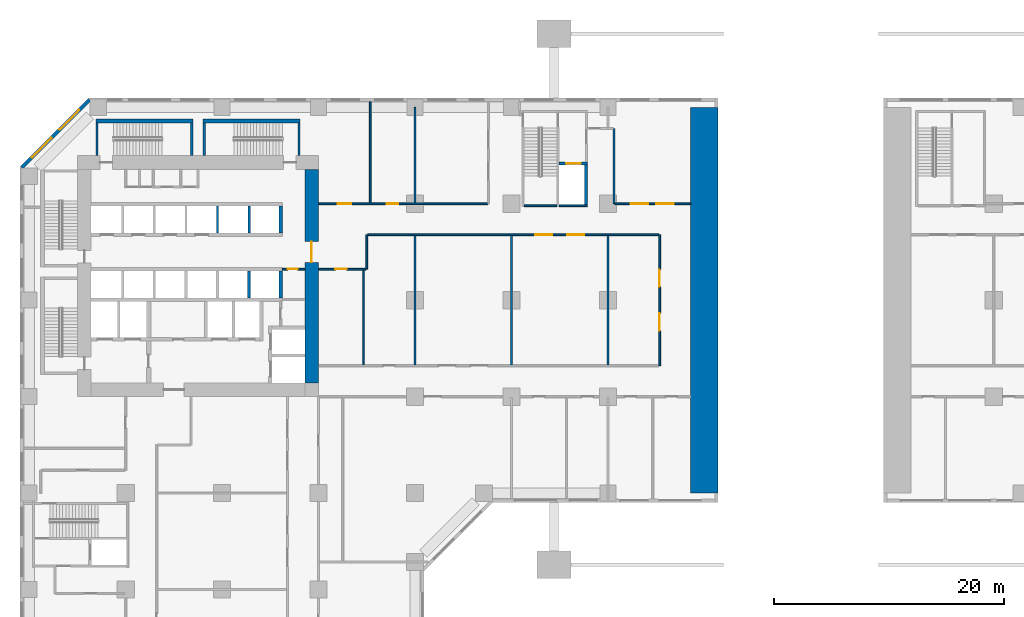
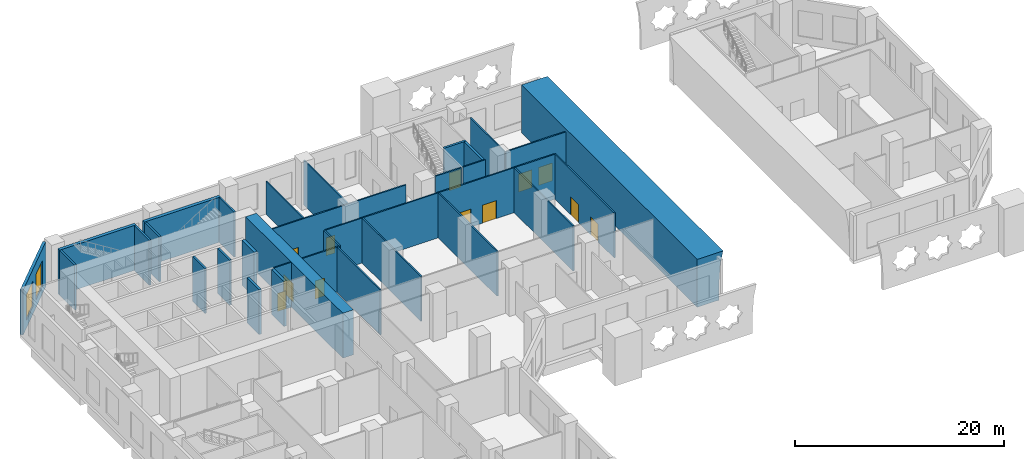
# One storey, part 8 of 17: 32 walls, 12 doors, 2 windows, 14 openings.
"""IFC4 building model written with IfcOpenShell, lengths in metres."""

import ifcopenshell
import ifcopenshell.guid

model = None  # the IFC model being written
_history = None  # IfcOwnerHistory: only IFC2X3 demands one
_inside = {}  # id of a spatial element -> (the spatial element, [elements in it])
_under = {}  # id of a project, library or spatial element -> (it, [spatial elements below it])
_declared = {}  # id of a project -> (the project, [libraries it declares])
_typed = {}  # id of a type object -> (the type object, [elements of that type])
_made_of = {}  # id of a material, layer set ... -> (it, [elements and type objects made of it])


def new_model(schema):
    """Start an empty IFC model of exactly this schema.

    Asked for "IFC4X3", IfcOpenShell would pick the latest addendum, in which some entities
    have other attributes; the version numbers below select the first issue.
    IFC2X3 requires an IfcOwnerHistory on every rooted entity: one is made here for all.
    """
    global model, _history
    if schema == "IFC4X3":
        model = ifcopenshell.file(schema_version=(4, 3, 0, 0))
    else:
        model = ifcopenshell.file(schema=schema)
    _inside.clear()
    _under.clear()
    _declared.clear()
    _typed.clear()
    _made_of.clear()
    _history = None
    if model.schema == "IFC2X3":
        org = make("IfcOrganization", Name="unknown")
        user = make(
            "IfcPersonAndOrganization",
            ThePerson=make("IfcPerson", FamilyName="unknown"),
            TheOrganization=org,
        )
        app = make(
            "IfcApplication",
            ApplicationDeveloper=org,
            Version="unknown",
            ApplicationFullName="unknown",
            ApplicationIdentifier="unknown",
        )
        _history = make(
            "IfcOwnerHistory",
            OwningUser=user,
            OwningApplication=app,
            ChangeAction="ADDED",
            CreationDate=0,
        )
    return model


def make(cls, **values):
    """One entity of the class cls with the attributes given. An attribute that is None is left unset."""
    return model.create_entity(
        cls, **{name: value for name, value in values.items() if value is not None}
    )


def rooted(cls, **values):
    """An entity with a GlobalId (a new one), such as an element, a storey or a relation."""
    return make(cls, GlobalId=ifcopenshell.guid.new(), OwnerHistory=_history, **values)


def si_unit(unit_type, name, prefix=None):
    """IfcSIUnit, for example si_unit("LENGTHUNIT", "METRE", prefix="MILLI")."""
    return make("IfcSIUnit", UnitType=unit_type, Prefix=prefix, Name=name)


def assignment(units):
    """IfcUnitAssignment: the units of a project."""
    return None if units is None else make("IfcUnitAssignment", Units=units)


def point(xyz):
    """IfcCartesianPoint."""
    return None if xyz is None else make("IfcCartesianPoint", Coordinates=xyz)


def direction(xyz):
    """IfcDirection."""
    return None if xyz is None else make("IfcDirection", DirectionRatios=xyz)


def frame(location, z_axis=None, x_axis=None):
    """IfcAxis2Placement3D, a coordinate frame: its origin and axes. An axis left out is left unset."""
    return make(
        "IfcAxis2Placement3D",
        Location=point(location),
        Axis=direction(z_axis),
        RefDirection=direction(x_axis),
    )


def frame_2d(location, x_axis=None):
    """IfcAxis2Placement2D, a coordinate frame in the plane: its origin and x axis."""
    return make(
        "IfcAxis2Placement2D", Location=point(location), RefDirection=direction(x_axis)
    )


def origin():
    """The frame at (0, 0, 0) with its axes left unset."""
    return frame((0.0, 0.0, 0.0))


def place(relative_to, where):
    """IfcLocalPlacement: puts the frame where relative to a parent placement (None: the world)."""
    return make(
        "IfcLocalPlacement", PlacementRelTo=relative_to, RelativePlacement=where
    )


def context(
    kind, dimensions, precision=None, world=None, true_north=None, identifier=None
):
    """IfcGeometricRepresentationContext, for example the 3D "Model" context."""
    return make(
        "IfcGeometricRepresentationContext",
        ContextIdentifier=identifier,
        ContextType=kind,
        CoordinateSpaceDimension=dimensions,
        Precision=precision,
        WorldCoordinateSystem=world,
        TrueNorth=true_north,
    )


def subcontext(parent, identifier, kind, view, scale=None):
    """IfcGeometricRepresentationSubContext, for example "Body" below "Model"."""
    return make(
        "IfcGeometricRepresentationSubContext",
        ContextIdentifier=identifier,
        ContextType=kind,
        ParentContext=parent,
        TargetScale=scale,
        TargetView=view,
    )


def project(units=None, contexts=None):
    """IfcProject with its units and contexts."""
    return rooted(
        "IfcProject",
        Name="project",
        RepresentationContexts=contexts,
        UnitsInContext=assignment(units),
    )


def spatial(cls, under=None, at=None, **own):
    """A site, building, storey or space (cls), placed at a placement, below another one or the project."""
    s = rooted(cls, ObjectPlacement=at, **own)
    if under is not None:
        _under.setdefault(under.id(), (under, []))[1].append(s)
    return s


def polyline(points):
    """IfcPolyline through the points."""
    return make("IfcPolyline", Points=[point(p) for p in points])


def profile(cls, at=None, kind="AREA", **sizes):
    """A parametric profile (cls). Its sizes go by their IFC names, for example OverallWidth=200.0."""
    return make(cls, ProfileType=kind, Position=at, **sizes)


def rectangle(**sizes):
    """IfcRectangleProfileDef."""
    return profile("IfcRectangleProfileDef", **sizes)


def outline(outer, holes=None, kind="AREA"):
    """IfcArbitraryClosedProfileDef: a profile drawn as a closed curve; with holes, ...WithVoids."""
    if holes is None:
        return make("IfcArbitraryClosedProfileDef", ProfileType=kind, OuterCurve=outer)
    return make(
        "IfcArbitraryProfileDefWithVoids",
        ProfileType=kind,
        OuterCurve=outer,
        InnerCurves=holes,
    )


def extrude(swept, where, along, depth):
    """IfcExtrudedAreaSolid: the profile swept, set in the frame where, extruded along a direction by depth."""
    return make(
        "IfcExtrudedAreaSolid",
        SweptArea=swept,
        Position=where,
        ExtrudedDirection=direction(along),
        Depth=depth,
    )


def shape(context_of_items, identifier, shape_type, items):
    """IfcShapeRepresentation: the items that make up one representation, for example the "Body"."""
    return make(
        "IfcShapeRepresentation",
        ContextOfItems=context_of_items,
        RepresentationIdentifier=identifier,
        RepresentationType=shape_type,
        Items=items,
    )


def material(Name=None, Category=None):
    """IfcMaterial."""
    return make("IfcMaterial", Name=Name, Category=Category)


def layer(
    of_material, thickness, ventilated=None, Name=None, Category=None, Priority=None
):
    """IfcMaterialLayer: one layer of a wall or slab, of a material (None: an air gap)."""
    return make(
        "IfcMaterialLayer",
        Material=of_material,
        LayerThickness=thickness,
        IsVentilated=ventilated,
        Name=Name,
        Category=Category,
        Priority=Priority,
    )


def layer_set(layers, Name=None):
    """IfcMaterialLayerSet."""
    return make("IfcMaterialLayerSet", MaterialLayers=layers, LayerSetName=Name)


def made_of(thing, what):
    """Note that an element or type object is made of a material, layer set ...; save() writes the relation."""
    if what is not None:
        _made_of.setdefault(what.id(), (what, []))[1].append(thing)
    return thing


def type_object(cls, material=None, **own):
    """A type object (cls), such as IfcWallType, which elements share."""
    return made_of(rooted(cls, **own), material)


def element(
    cls,
    number,
    at=None,
    inside=None,
    cuts=None,
    type_object=None,
    material=None,
    context=None,
    identifier="Body",
    shape_type=None,
    held_by="IfcProductDefinitionShape",
    body=None,
    shapes=None,
    **own,
):
    """One element of the class cls, such as IfcWall. Its Tag is "e" and its number.

    at: its placement. inside: the storey or other place that contains it. cuts: it is an
    opening in that element (IfcRelVoidsElement). A single representation is given by context,
    identifier, shape_type and body (its items); several are given by shapes. held_by: the class
    of the entity that holds the representations. save() writes the other relations.
    """
    e = rooted(cls, Tag="e%d" % number, ObjectPlacement=at, **own)
    if body is not None:
        shapes = [shape(context, identifier, shape_type, body)]
    if shapes is not None:
        e.Representation = make(held_by, Representations=shapes)
    if inside is not None:
        _inside.setdefault(inside.id(), (inside, []))[1].append(e)
    if cuts is not None:
        rooted(
            "IfcRelVoidsElement", RelatingBuildingElement=cuts, RelatedOpeningElement=e
        )
    if type_object is not None:
        _typed.setdefault(type_object.id(), (type_object, []))[1].append(e)
    return made_of(e, material)


def fill(opening, filler):
    """IfcRelFillsElement: the door or window that sits in an opening."""
    return rooted(
        "IfcRelFillsElement",
        RelatingOpeningElement=opening,
        RelatedBuildingElement=filler,
    )


def aggregate(whole, parts):
    """IfcRelAggregates: a whole, such as a stair, and the parts it consists of."""
    return rooted("IfcRelAggregates", RelatingObject=whole, RelatedObjects=parts)


def save(model, path):
    """Write the relations noted so far, then the file.

    IfcRelAggregates (storeys below a building ...), IfcRelContainedInSpatialStructure (elements
    in a storey), IfcRelDefinesByType, IfcRelAssociatesMaterial and IfcRelDeclares: one each for
    every whole, place, type object, material and project.
    """
    for whole, parts in _under.values():
        aggregate(whole, parts)
    for where, things in _inside.values():
        rooted(
            "IfcRelContainedInSpatialStructure",
            RelatedElements=things,
            RelatingStructure=where,
        )
    for kind, things in _typed.values():
        rooted("IfcRelDefinesByType", RelatedObjects=things, RelatingType=kind)
    for what, things in _made_of.values():
        rooted("IfcRelAssociatesMaterial", RelatedObjects=things, RelatingMaterial=what)
    for by, libraries in _declared.values():
        rooted("IfcRelDeclares", RelatingContext=by, RelatedDefinitions=libraries)
    model.write(path)


model = new_model("IFC4")

# Units and contexts
model_context = context("Model", 3, precision=1e-05, world=origin(), true_north=direction((0.0, 1.0)))
body_context = subcontext(model_context, "Body", "Model", "MODEL_VIEW")
ifc_project = project(units=[si_unit("LENGTHUNIT", "METRE"), si_unit("AREAUNIT", "SQUARE_METRE"), si_unit("VOLUMEUNIT", "CUBIC_METRE"), si_unit("PLANEANGLEUNIT", "RADIAN"), si_unit("MASSUNIT", "GRAM", prefix="KILO")], contexts=[model_context])

# Site, building, storey
site_placement = place(None, origin())
site = spatial("IfcSite", under=ifc_project, at=site_placement, CompositionType="ELEMENT")
building_placement = place(site_placement, origin())
building = spatial("IfcBuilding", under=site, at=building_placement, Name="Kawkab Arch Medical Tower", CompositionType="ELEMENT")
storey_placement = place(building_placement, frame((0.0, 0.0, 7.0)))
storey = spatial("IfcBuildingStorey", under=building, at=storey_placement, Name="L02", CompositionType="ELEMENT", Elevation=7.0)

# Wall
ifc_material_1 = material(Name="Concrete C60/75", Category="concrete")
wall_type_1 = type_object("IfcWallType", Name="Arch wall C60/75", PredefinedType="SHEAR", material=ifc_material_1)
wall_1_placement = place(storey_placement, frame((0.0, 0.0, -7.0), z_axis=(0.0, -1.0, 0.0), x_axis=(1.0, 0.0, 0.0)))
element("IfcWall", 1, at=wall_1_placement, inside=storey, type_object=wall_type_1, Name="Arch wall L02-1", PredefinedType="SHEAR", context=body_context, shape_type="SweptSolid", body=[
    extrude(outline(polyline([(60.447509765625, 12.60009765625), (60.158935546875, 11.256103515625), (60.0, 9.0), (60.0, 7.0), (57.60009765625, 7.0), (57.60009765625, 12.60009765625), (60.447509765625, 12.60009765625)])), origin(), (0.0, 0.0, 1.0), 33.60009765625),
])

# Wall, opening, door
ifc_material_2 = material(Name="Concrete C60/75", Category="concrete")
ifc_layer_1 = layer(ifc_material_2, 1.199951171875)
ifc_layer_set_1 = layer_set([ifc_layer_1], Name="Concrete C60/75")
wall_type_2 = type_object("IfcWallType", Name="Core ring wall 1200 C60/75", PredefinedType="SHEAR", material=ifc_layer_set_1)
wall_2_placement = place(storey_placement, frame((24.60009765625, -24.0, 0.0), z_axis=(0.0, 0.0, 1.0), x_axis=(0.0, 1.0, 0.0)))
wall_2 = element("IfcWall", 2, at=wall_2_placement, inside=storey, type_object=wall_type_2, Name="L02 core wall", PredefinedType="SHEAR", context=body_context, shape_type="SweptSolid", body=[
    extrude(rectangle(XDim=18.60009765625, YDim=1.199951171875, at=frame_2d((9.300048828125, 0.0))), origin(), (0.0, 0.0, 1.0), 5.25),
])
opening_1_placement = place(wall_2_placement, frame((10.5, 0.0, 0.0)))
opening_1 = element("IfcOpeningElement", 3, at=opening_1_placement, cuts=wall_2, Name="Opening PD", PredefinedType="OPENING", context=body_context, shape_type="SweptSolid", body=[
    extrude(rectangle(XDim=1.800048828125, YDim=2.10009765625, at=frame_2d((0.89990234375, 1.050048828125))), frame((0.0, 0.60986328125, 0.0), z_axis=(0.0, -1.0, 0.0), x_axis=(1.0, 0.0, 0.0)), (0.0, 0.0, 1.0), 1.219970703125),
])
ifc_material_3 = material(Name="Hollow metal fire door leaf")
door_type_1 = type_object("IfcDoorType", Name="Core entrance doors 1800", OperationType="DOUBLE_DOOR_SINGLE_SWING", PredefinedType="DOOR", material=ifc_material_3)
door_1_placement = place(opening_1_placement, origin())
door_1 = element("IfcDoor", 4, at=door_1_placement, inside=storey, type_object=door_type_1, Name="L02 East entrance doors", OperationType="DOUBLE_DOOR_SINGLE_SWING", OverallHeight=2.10009765625, OverallWidth=1.800048828125, PredefinedType="DOOR", context=body_context, shape_type="SweptSolid", body=[
    extrude(rectangle(XDim=1.800048828125, YDim=2.10009765625, at=frame_2d((0.89990234375, 1.050048828125))), frame((0.0, 0.02490234375, 0.0), z_axis=(0.0, -1.0, 0.0), x_axis=(1.0, 0.0, 0.0)), (0.0, 0.0, 1.0), 0.050048828125),
])
fill(opening_1, door_1)

ifc_material_4 = material(Name="Gypsum board on steel studs", Category="steel")
ifc_layer_2 = layer(ifc_material_4, 0.14990234375)
ifc_layer_set_2 = layer_set([ifc_layer_2], Name="Gypsum board on steel studs")
wall_type_3 = type_object("IfcWallType", Name="Core room partition 150", PredefinedType="PARTITIONING", material=ifc_layer_set_2)
wall_3_placement = place(storey_placement, frame((22.050048828125, -14.10009765625, 0.0), z_axis=(0.0, 0.0, 1.0), x_axis=(1.0, 0.0, 0.0)))
wall_3 = element("IfcWall", 5, at=wall_3_placement, inside=storey, type_object=wall_type_3, Name="L02 core room partition", PredefinedType="PARTITIONING", context=body_context, shape_type="SweptSolid", body=[
    extrude(rectangle(XDim=1.949951171875, YDim=0.14990234375, at=frame_2d((0.97509765625, 0.0))), origin(), (0.0, 0.0, 1.0), 5.25),
])
opening_2_placement = place(wall_3_placement, frame((0.449951171875, 0.0, 0.0)))
opening_2 = element("IfcOpeningElement", 6, at=opening_2_placement, cuts=wall_3, Name="Opening RD", PredefinedType="OPENING", context=body_context, shape_type="SweptSolid", body=[
    extrude(rectangle(XDim=0.89990234375, YDim=2.10009765625, at=frame_2d((0.449951171875, 1.050048828125))), frame((0.0, 0.0849609375, 0.0), z_axis=(0.0, -1.0, 0.0), x_axis=(1.0, 0.0, 0.0)), (0.0, 0.0, 1.0), 0.169921875),
])
ifc_material_5 = material(Name="Hollow metal fire door leaf")
door_type_2 = type_object("IfcDoorType", Name="Core room door 900", OperationType="SINGLE_SWING_LEFT", PredefinedType="DOOR", material=ifc_material_5)
door_2_placement = place(opening_2_placement, origin())
door_2 = element("IfcDoor", 7, at=door_2_placement, inside=storey, type_object=door_type_2, Name="L02 Medical gas plant room door", OperationType="SINGLE_SWING_LEFT", OverallHeight=2.10009765625, OverallWidth=0.89990234375, PredefinedType="DOOR", context=body_context, shape_type="SweptSolid", body=[
    extrude(rectangle(XDim=0.89990234375, YDim=2.10009765625, at=frame_2d((0.449951171875, 1.050048828125))), frame((0.0, 0.02490234375, 0.0), z_axis=(0.0, -1.0, 0.0), x_axis=(1.0, 0.0, 0.0)), (0.0, 0.0, 1.0), 0.050048828125),
])
fill(opening_2, door_2)

# Wall
ifc_material_6 = material(Name="Concrete C60/75", Category="concrete")
ifc_layer_3 = layer(ifc_material_6, 0.25)
ifc_layer_set_3 = layer_set([ifc_layer_3], Name="Concrete C60/75")
wall_type_4 = type_object("IfcWallType", Name="Core shear wall 250 C60/75", PredefinedType="SHEAR", material=ifc_layer_set_3)
wall_4_placement = place(storey_placement, frame((19.14990234375, -16.60009765625, 0.0), z_axis=(0.0, 0.0, 1.0), x_axis=(0.0, 1.0, 0.0)))
element("IfcWall", 8, at=wall_4_placement, inside=storey, type_object=wall_type_4, Name="L02 core shear wall", PredefinedType="SHEAR", context=body_context, shape_type="SweptSolid", body=[
    extrude(rectangle(XDim=2.35009765625, YDim=0.25, at=frame_2d((1.175048828125, 0.0))), origin(), (0.0, 0.0, 1.0), 5.25),
])

# Wall, opening, door
wall_5_placement = place(storey_placement, frame((46.14990234375, -4.89990234375, 0.0), z_axis=(0.0, 0.0, 1.0), x_axis=(1.0, 0.0, 0.0)))
wall_5 = element("IfcWall", 9, at=wall_5_placement, inside=storey, type_object=wall_type_4, Name="L02 core shear wall", PredefinedType="SHEAR", context=body_context, shape_type="SweptSolid", body=[
    extrude(rectangle(XDim=2.4501953125, YDim=0.25, at=frame_2d((1.22509765625, 0.0))), origin(), (0.0, 0.0, 1.0), 5.25),
])
opening_3_placement = place(wall_5_placement, frame((0.60009765625, 0.0, 0.0)))
opening_3 = element("IfcOpeningElement", 10, at=opening_3_placement, cuts=wall_5, Name="Opening LD2", PredefinedType="OPENING", context=body_context, shape_type="SweptSolid", body=[
    extrude(rectangle(XDim=1.300048828125, YDim=2.10009765625, at=frame_2d((0.64990234375, 1.050048828125))), frame((0.0, 0.135009765625, 0.0), z_axis=(0.0, -1.0, 0.0), x_axis=(1.0, 0.0, 0.0)), (0.0, 0.0, 1.0), 0.27001953125),
])
ifc_material_7 = material(Name="Stainless steel lift door leaf", Category="steel")
door_type_3 = type_object("IfcDoorType", Name="Lift landing door 1300", OperationType="DOUBLE_DOOR_SLIDING", PredefinedType="DOOR", material=ifc_material_7)
door_3_placement = place(opening_3_placement, origin())
door_3 = element("IfcDoor", 11, at=door_3_placement, inside=storey, type_object=door_type_3, Name="L02 Lift landing door SV1", OperationType="DOUBLE_DOOR_SLIDING", OverallHeight=2.10009765625, OverallWidth=1.300048828125, PredefinedType="DOOR", context=body_context, shape_type="SweptSolid", body=[
    extrude(rectangle(XDim=1.300048828125, YDim=2.10009765625, at=frame_2d((0.64990234375, 1.050048828125))), frame((0.0, 0.02490234375, 0.0), z_axis=(0.0, -1.0, 0.0), x_axis=(1.0, 0.0, 0.0)), (0.0, 0.0, 1.0), 0.050048828125),
])
fill(opening_3, door_3)

# Walls
wall_6_placement = place(storey_placement, frame((48.47509765625, -8.5, 0.0), z_axis=(0.0, 0.0, 1.0), x_axis=(0.0, 1.0, 0.0)))
element("IfcWall", 12, at=wall_6_placement, inside=storey, type_object=wall_type_4, Name="L02 core shear wall", PredefinedType="SHEAR", context=body_context, shape_type="SweptSolid", body=[
    extrude(rectangle(XDim=3.47509765625, YDim=0.25, at=frame_2d((1.737548828125, 0.0))), origin(), (0.0, 0.0, 1.0), 5.25),
])
ifc_material_8 = material(Name="Concrete C60/75", Category="concrete")
ifc_layer_4 = layer(ifc_material_8, 0.300048828125)
ifc_layer_set_4 = layer_set([ifc_layer_4], Name="Concrete C60/75")
wall_type_5 = type_object("IfcWallType", Name="Core shear wall 300 C60/75", PredefinedType="SHEAR", material=ifc_layer_set_4)
wall_7_placement = place(storey_placement, frame((21.89990234375, -10.949951171875, 0.0), z_axis=(0.0, 0.0, 1.0), x_axis=(0.0, 1.0, 0.0)))
element("IfcWall", 13, at=wall_7_placement, inside=storey, type_object=wall_type_5, Name="L02 core shear wall", PredefinedType="SHEAR", context=body_context, shape_type="SweptSolid", body=[
    extrude(rectangle(XDim=2.349853515625, YDim=0.300048828125, at=frame_2d((1.1748046875, 0.0))), origin(), (0.0, 0.0, 1.0), 5.25),
])
wall_8_placement = place(storey_placement, frame((21.89990234375, -16.60009765625, 0.0), z_axis=(0.0, 0.0, 1.0), x_axis=(0.0, 1.0, 0.0)))
element("IfcWall", 14, at=wall_8_placement, inside=storey, type_object=wall_type_5, Name="L02 core shear wall", PredefinedType="SHEAR", context=body_context, shape_type="SweptSolid", body=[
    extrude(rectangle(XDim=2.35009765625, YDim=0.300048828125, at=frame_2d((1.175048828125, 0.0))), origin(), (0.0, 0.0, 1.0), 5.25),
])
ifc_material_9 = material(Name="Dense concrete blockwork", Category="masonry")
ifc_layer_5 = layer(ifc_material_9, 0.199951171875)
ifc_layer_set_5 = layer_set([ifc_layer_5], Name="Dense concrete blockwork")
wall_type_6 = type_object("IfcWallType", Name="Lift shaft partition 200", PredefinedType="PARTITIONING", material=ifc_layer_set_5)
for number, where, z_axis, x_axis, name in (
    (15, (16.39990234375, -10.949951171875, 0.0), (0.0, 0.0, 1.0), (0.0, 1.0, 0.0), "L02 lift shaft partition"),
    (16, (19.14990234375, -10.949951171875, 0.0), (0.0, 0.0, 1.0), (0.0, 1.0, 0.0), "L02 lift shaft partition"),
):
    element("IfcWall", number, at=place(storey_placement, frame(where, z_axis=z_axis, x_axis=x_axis)), inside=storey, type_object=wall_type_6, Name=name, PredefinedType="PARTITIONING", context=body_context, shape_type="SweptSolid", body=[
        extrude(rectangle(XDim=2.349853515625, YDim=0.199951171875, at=frame_2d((1.1748046875, 0.0))), origin(), (0.0, 0.0, 1.0), 5.25),
    ])

# Wall, opening, door
ifc_material_10 = material(Name="Gypsum board partition on steel studs, mineral wool", Category="steel")
ifc_layer_6 = layer(ifc_material_10, 0.14990234375)
ifc_layer_set_6 = layer_set([ifc_layer_6], Name="Gypsum board partition on steel studs, mineral wool")
wall_type_7 = type_object("IfcWallType", Name="Partition 150", PredefinedType="PARTITIONING", material=ifc_layer_set_6)
wall_9_placement = place(storey_placement, frame((25.199951171875, -14.10009765625, 0.0), z_axis=(0.0, 0.0, 1.0), x_axis=(1.0, 0.0, 0.0)))
wall_9 = element("IfcWall", 17, at=wall_9_placement, inside=storey, type_object=wall_type_7, Name="Partition 150 w032", PredefinedType="PARTITIONING", context=body_context, shape_type="SweptSolid", body=[
    extrude(rectangle(XDim=4.125, YDim=0.14990234375, at=frame_2d((2.0625, 0.0))), origin(), (0.0, 0.0, 1.0), 5.25),
])
opening_4_placement = place(wall_9_placement, frame((1.449951171875, 0.0, 0.0)))
opening_4 = element("IfcOpeningElement", 18, at=opening_4_placement, cuts=wall_9, Name="Opening P02-033", PredefinedType="OPENING", context=body_context, shape_type="SweptSolid", body=[
    extrude(rectangle(XDim=1.0, YDim=2.10009765625, at=frame_2d((0.5, 1.050048828125))), frame((0.0, 0.0849609375, 0.0), z_axis=(0.0, -1.0, 0.0), x_axis=(1.0, 0.0, 0.0)), (0.0, 0.0, 1.0), 0.169921875),
])
ifc_material_11 = material(Name="Hollow metal door leaf")
door_type_4 = type_object("IfcDoorType", Name="Single door 1000x2100 FD30S", OperationType="NOTDEFINED", PredefinedType="DOOR", material=ifc_material_11)
door_4_placement = place(opening_4_placement, origin())
door_4 = element("IfcDoor", 19, at=door_4_placement, inside=storey, type_object=door_type_4, Name="Door P02-033", OperationType="SINGLE_SWING_RIGHT", OverallHeight=2.10009765625, OverallWidth=1.0, PredefinedType="DOOR", context=body_context, shape_type="SweptSolid", body=[
    extrude(rectangle(XDim=1.0, YDim=2.10009765625, at=frame_2d((0.5, 1.050048828125))), frame((0.0, 0.02490234375, 0.0), z_axis=(0.0, -1.0, 0.0), x_axis=(1.0, 0.0, 0.0)), (0.0, 0.0, 1.0), 0.050048828125),
])
fill(opening_4, door_4)

# Wall, openings, doors
wall_10_placement = place(storey_placement, frame((29.47509765625, -11.10009765625, 0.0), z_axis=(0.0, 0.0, 1.0), x_axis=(1.0, 0.0, 0.0)))
wall_10 = element("IfcWall", 20, at=wall_10_placement, inside=storey, type_object=wall_type_7, Name="Partition 150 w033", PredefinedType="PARTITIONING", context=body_context, shape_type="SweptSolid", body=[
    extrude(rectangle(XDim=25.349853515625, YDim=0.14990234375, at=frame_2d((12.6748046875, 0.0))), origin(), (0.0, 0.0, 1.0), 5.25),
])
opening_5_placement = place(wall_10_placement, frame((17.375, 0.0, 0.0)))
opening_5 = element("IfcOpeningElement", 21, at=opening_5_placement, cuts=wall_10, Name="Opening P02-010", PredefinedType="OPENING", context=body_context, shape_type="SweptSolid", body=[
    extrude(rectangle(XDim=1.5, YDim=2.10009765625, at=frame_2d((0.75, 1.050048828125))), frame((0.0, 0.0849609375, 0.0), z_axis=(0.0, -1.0, 0.0), x_axis=(1.0, 0.0, 0.0)), (0.0, 0.0, 1.0), 0.169921875),
])
opening_6_placement = place(wall_10_placement, frame((14.574951171875, 0.0, 0.0)))
opening_6 = element("IfcOpeningElement", 22, at=opening_6_placement, cuts=wall_10, Name="Opening P02-011", PredefinedType="OPENING", context=body_context, shape_type="SweptSolid", body=[
    extrude(rectangle(XDim=1.5, YDim=2.10009765625, at=frame_2d((0.75, 1.050048828125))), frame((0.0, 0.0849609375, 0.0), z_axis=(0.0, -1.0, 0.0), x_axis=(1.0, 0.0, 0.0)), (0.0, 0.0, 1.0), 0.169921875),
])
ifc_material_12 = material(Name="Hollow metal door leaf")
door_type_5 = type_object("IfcDoorType", Name="Double door 1500x2100 FD30S", OperationType="NOTDEFINED", PredefinedType="DOOR", material=ifc_material_12)
door_5_placement = place(opening_5_placement, origin())
door_5 = element("IfcDoor", 23, at=door_5_placement, inside=storey, type_object=door_type_5, Name="Door P02-010", OperationType="DOUBLE_DOOR_SINGLE_SWING", OverallHeight=2.10009765625, OverallWidth=1.5, PredefinedType="DOOR", context=body_context, shape_type="SweptSolid", body=[
    extrude(rectangle(XDim=1.5, YDim=2.10009765625, at=frame_2d((0.75, 1.050048828125))), frame((0.0, 0.02490234375, 0.0), z_axis=(0.0, -1.0, 0.0), x_axis=(1.0, 0.0, 0.0)), (0.0, 0.0, 1.0), 0.050048828125),
])
fill(opening_5, door_5)
door_6_placement = place(opening_6_placement, origin())
door_6 = element("IfcDoor", 24, at=door_6_placement, inside=storey, type_object=door_type_5, Name="Door P02-011", OperationType="DOUBLE_DOOR_SINGLE_SWING", OverallHeight=2.10009765625, OverallWidth=1.5, PredefinedType="DOOR", context=body_context, shape_type="SweptSolid", body=[
    extrude(rectangle(XDim=1.5, YDim=2.10009765625, at=frame_2d((0.75, 1.050048828125))), frame((0.0, 0.02490234375, 0.0), z_axis=(0.0, -1.0, 0.0), x_axis=(1.0, 0.0, 0.0)), (0.0, 0.0, 1.0), 0.050048828125),
])
fill(opening_6, door_6)

wall_11_placement = place(storey_placement, frame((25.199951171875, -8.39990234375, 0.0), z_axis=(0.0, 0.0, 1.0), x_axis=(1.0, 0.0, 0.0)))
wall_11 = element("IfcWall", 25, at=wall_11_placement, inside=storey, type_object=wall_type_7, Name="Partition 150 w036", PredefinedType="PARTITIONING", context=body_context, shape_type="SweptSolid", body=[
    extrude(rectangle(XDim=14.73193359375, YDim=0.14990234375, at=frame_2d((7.365966796875, 0.0))), origin(), (0.0, 0.0, 1.0), 5.25),
])
opening_7_placement = place(wall_11_placement, frame((1.64990234375, 0.0, 0.0)))
opening_7 = element("IfcOpeningElement", 26, at=opening_7_placement, cuts=wall_11, Name="Opening P02-059", PredefinedType="OPENING", context=body_context, shape_type="SweptSolid", body=[
    extrude(rectangle(XDim=1.199951171875, YDim=2.10009765625, at=frame_2d((0.60009765625, 1.050048828125))), frame((0.0, 0.0849609375, 0.0), z_axis=(0.0, -1.0, 0.0), x_axis=(1.0, 0.0, 0.0)), (0.0, 0.0, 1.0), 0.169921875),
])
opening_8_placement = place(wall_11_placement, frame((5.949951171875, 0.0, 0.0)))
opening_8 = element("IfcOpeningElement", 27, at=opening_8_placement, cuts=wall_11, Name="Opening P02-032", PredefinedType="OPENING", context=body_context, shape_type="SweptSolid", body=[
    extrude(rectangle(XDim=1.0, YDim=2.10009765625, at=frame_2d((0.5, 1.050048828125))), frame((0.0, 0.0849609375, 0.0), z_axis=(0.0, -1.0, 0.0), x_axis=(1.0, 0.0, 0.0)), (0.0, 0.0, 1.0), 0.169921875),
])
door_7_placement = place(opening_8_placement, origin())
door_7 = element("IfcDoor", 28, at=door_7_placement, inside=storey, type_object=door_type_4, Name="Door P02-032", OperationType="SINGLE_SWING_LEFT", OverallHeight=2.10009765625, OverallWidth=1.0, PredefinedType="DOOR", context=body_context, shape_type="SweptSolid", body=[
    extrude(rectangle(XDim=1.0, YDim=2.10009765625, at=frame_2d((0.5, 1.050048828125))), frame((0.0, 0.02490234375, 0.0), z_axis=(0.0, -1.0, 0.0), x_axis=(1.0, 0.0, 0.0)), (0.0, 0.0, 1.0), 0.050048828125),
])
fill(opening_8, door_7)
ifc_material_13 = material(Name="Hollow metal door leaf")
door_type_6 = type_object("IfcDoorType", Name="Single door 1200x2100 FD30S", OperationType="NOTDEFINED", PredefinedType="DOOR", material=ifc_material_13)
door_8_placement = place(opening_7_placement, origin())
door_8 = element("IfcDoor", 29, at=door_8_placement, inside=storey, type_object=door_type_6, Name="Door P02-059", OperationType="SINGLE_SWING_LEFT", OverallHeight=2.10009765625, OverallWidth=1.199951171875, PredefinedType="DOOR", context=body_context, shape_type="SweptSolid", body=[
    extrude(rectangle(XDim=1.199951171875, YDim=2.10009765625, at=frame_2d((0.60009765625, 1.050048828125))), frame((0.0, 0.02490234375, 0.0), z_axis=(0.0, -1.0, 0.0), x_axis=(1.0, 0.0, 0.0)), (0.0, 0.0, 1.0), 0.050048828125),
])
fill(opening_7, door_8)

wall_12_placement = place(storey_placement, frame((51.0, -8.39990234375, 0.0), z_axis=(0.0, 0.0, 1.0), x_axis=(1.0, 0.0, 0.0)))
wall_12 = element("IfcWall", 30, at=wall_12_placement, inside=storey, type_object=wall_type_7, Name="Partition 150 w037", PredefinedType="PARTITIONING", context=body_context, shape_type="SweptSolid", body=[
    extrude(rectangle(XDim=6.60009765625, YDim=0.14990234375, at=frame_2d((3.300048828125, 0.0))), origin(), (0.0, 0.0, 1.0), 5.25),
])
opening_9_placement = place(wall_12_placement, frame((1.39990234375, 0.0, 0.0)))
opening_9 = element("IfcOpeningElement", 31, at=opening_9_placement, cuts=wall_12, Name="Opening P02-004", PredefinedType="OPENING", context=body_context, shape_type="SweptSolid", body=[
    extrude(rectangle(XDim=1.5, YDim=2.10009765625, at=frame_2d((0.75, 1.050048828125))), frame((0.0, 0.0849609375, 0.0), z_axis=(0.0, -1.0, 0.0), x_axis=(1.0, 0.0, 0.0)), (0.0, 0.0, 1.0), 0.169921875),
])
opening_10_placement = place(wall_12_placement, frame((3.625, 0.0, 0.0)))
opening_10 = element("IfcOpeningElement", 32, at=opening_10_placement, cuts=wall_12, Name="Opening P02-005", PredefinedType="OPENING", context=body_context, shape_type="SweptSolid", body=[
    extrude(rectangle(XDim=1.5, YDim=2.10009765625, at=frame_2d((0.75, 1.050048828125))), frame((0.0, 0.0849609375, 0.0), z_axis=(0.0, -1.0, 0.0), x_axis=(1.0, 0.0, 0.0)), (0.0, 0.0, 1.0), 0.169921875),
])
door_9_placement = place(opening_9_placement, origin())
door_9 = element("IfcDoor", 33, at=door_9_placement, inside=storey, type_object=door_type_5, Name="Door P02-004", OperationType="DOUBLE_DOOR_SINGLE_SWING", OverallHeight=2.10009765625, OverallWidth=1.5, PredefinedType="DOOR", context=body_context, shape_type="SweptSolid", body=[
    extrude(rectangle(XDim=1.5, YDim=2.10009765625, at=frame_2d((0.75, 1.050048828125))), frame((0.0, 0.02490234375, 0.0), z_axis=(0.0, -1.0, 0.0), x_axis=(1.0, 0.0, 0.0)), (0.0, 0.0, 1.0), 0.050048828125),
])
fill(opening_9, door_9)
door_10_placement = place(opening_10_placement, origin())
door_10 = element("IfcDoor", 34, at=door_10_placement, inside=storey, type_object=door_type_5, Name="Door P02-005", OperationType="DOUBLE_DOOR_SINGLE_SWING", OverallHeight=2.10009765625, OverallWidth=1.5, PredefinedType="DOOR", context=body_context, shape_type="SweptSolid", body=[
    extrude(rectangle(XDim=1.5, YDim=2.10009765625, at=frame_2d((0.75, 1.050048828125))), frame((0.0, 0.02490234375, 0.0), z_axis=(0.0, -1.0, 0.0), x_axis=(1.0, 0.0, 0.0)), (0.0, 0.0, 1.0), 0.050048828125),
])
fill(opening_10, door_10)

# Walls
wall_13_placement = place(storey_placement, frame((29.10009765625, -22.425048828125, 0.0), z_axis=(0.0, 0.0, 1.0), x_axis=(0.0, 1.0, 0.0)))
element("IfcWall", 35, at=wall_13_placement, inside=storey, type_object=wall_type_7, Name="Partition 150 w052", PredefinedType="PARTITIONING", context=body_context, shape_type="SweptSolid", body=[
    extrude(rectangle(XDim=8.25, YDim=0.14990234375, at=frame_2d((4.125, 0.0))), origin(), (0.0, 0.0, 1.0), 5.25),
])
wall_14_placement = place(storey_placement, frame((29.39990234375, -14.10009765625, 0.0), z_axis=(0.0, 0.0, 1.0), x_axis=(0.0, 1.0, 0.0)))
element("IfcWall", 36, at=wall_14_placement, inside=storey, type_object=wall_type_7, Name="Partition 150 w053", PredefinedType="PARTITIONING", context=body_context, shape_type="SweptSolid", body=[
    extrude(rectangle(XDim=3.0, YDim=0.14990234375, at=frame_2d((1.5, 0.0))), origin(), (0.0, 0.0, 1.0), 5.25),
])
wall_15_placement = place(storey_placement, frame((29.699951171875, -8.324951171875, 0.0), z_axis=(0.0, 0.0, 1.0), x_axis=(0.0, 1.0, 0.0)))
element("IfcWall", 37, at=wall_15_placement, inside=storey, type_object=wall_type_7, Name="Partition 150 w054", PredefinedType="PARTITIONING", context=body_context, shape_type="SweptSolid", body=[
    extrude(rectangle(XDim=8.804931640625, YDim=0.14990234375, at=frame_2d((4.40234375, 0.0))), origin(), (0.0, 0.0, 1.0), 3.85009765625),
])
wall_16_placement = place(storey_placement, frame((33.60009765625, -22.425048828125, 0.0), z_axis=(0.0, 0.0, 1.0), x_axis=(0.0, 1.0, 0.0)))
element("IfcWall", 38, at=wall_16_placement, inside=storey, type_object=wall_type_7, Name="Partition 150 w055", PredefinedType="PARTITIONING", context=body_context, shape_type="SweptSolid", body=[
    extrude(rectangle(XDim=11.25, YDim=0.14990234375, at=frame_2d((5.625, 0.0))), origin(), (0.0, 0.0, 1.0), 5.25),
])
wall_17_placement = place(storey_placement, frame((33.60009765625, -8.324951171875, 0.0), z_axis=(0.0, 0.0, 1.0), x_axis=(0.0, 1.0, 0.0)))
element("IfcWall", 39, at=wall_17_placement, inside=storey, type_object=wall_type_7, Name="Partition 150 w056", PredefinedType="PARTITIONING", context=body_context, shape_type="SweptSolid", body=[
    extrude(rectangle(XDim=8.322021484375, YDim=0.14990234375, at=frame_2d((4.1611328125, 0.0))), origin(), (0.0, 0.0, 1.0), 5.25),
])
for number, where, z_axis, x_axis, name in (
    (40, (42.0, -22.425048828125, 0.0), (0.0, 0.0, 1.0), (0.0, 1.0, 0.0), "Partition 150 w060"),
    (41, (50.39990234375, -22.425048828125, 0.0), (0.0, 0.0, 1.0), (0.0, 1.0, 0.0), "Partition 150 w065"),
):
    element("IfcWall", number, at=place(storey_placement, frame(where, z_axis=z_axis, x_axis=x_axis)), inside=storey, type_object=wall_type_7, Name=name, PredefinedType="PARTITIONING", context=body_context, shape_type="SweptSolid", body=[
        extrude(rectangle(XDim=11.25, YDim=0.14990234375, at=frame_2d((5.625, 0.0))), origin(), (0.0, 0.0, 1.0), 5.25),
    ])
wall_18_placement = place(storey_placement, frame((50.925048828125, -8.39990234375, 0.0), z_axis=(0.0, 0.0, 1.0), x_axis=(0.0, 1.0, 0.0)))
element("IfcWall", 42, at=wall_18_placement, inside=storey, type_object=wall_type_7, Name="Partition 150 w067", PredefinedType="PARTITIONING", context=body_context, shape_type="SweptSolid", body=[
    extrude(rectangle(XDim=6.5478515625, YDim=0.14990234375, at=frame_2d((3.27392578125, 0.0))), origin(), (0.0, 0.0, 1.0), 5.25),
])

# Wall, openings, doors
wall_19_placement = place(storey_placement, frame((54.89990234375, -22.5, 0.0), z_axis=(0.0, 0.0, 1.0), x_axis=(0.0, 1.0, 0.0)))
wall_19 = element("IfcWall", 43, at=wall_19_placement, inside=storey, type_object=wall_type_7, Name="Partition 150 w069", PredefinedType="PARTITIONING", context=body_context, shape_type="SweptSolid", body=[
    extrude(rectangle(XDim=11.39990234375, YDim=0.14990234375, at=frame_2d((5.699951171875, 0.0))), origin(), (0.0, 0.0, 1.0), 5.25),
])
opening_11_placement = place(wall_19_placement, frame((3.050048828125, 0.0, 0.0)))
opening_11 = element("IfcOpeningElement", 44, at=opening_11_placement, cuts=wall_19, Name="Opening P02-012", PredefinedType="OPENING", context=body_context, shape_type="SweptSolid", body=[
    extrude(rectangle(XDim=1.5, YDim=2.10009765625, at=frame_2d((0.75, 1.050048828125))), frame((0.0, 0.0849609375, 0.0), z_axis=(0.0, -1.0, 0.0), x_axis=(1.0, 0.0, 0.0)), (0.0, 0.0, 1.0), 0.169921875),
])
opening_12_placement = place(wall_19_placement, frame((6.85009765625, 0.0, 0.0)))
opening_12 = element("IfcOpeningElement", 45, at=opening_12_placement, cuts=wall_19, Name="Opening P02-013", PredefinedType="OPENING", context=body_context, shape_type="SweptSolid", body=[
    extrude(rectangle(XDim=1.5, YDim=2.10009765625, at=frame_2d((0.75, 1.050048828125))), frame((0.0, 0.0849609375, 0.0), z_axis=(0.0, -1.0, 0.0), x_axis=(1.0, 0.0, 0.0)), (0.0, 0.0, 1.0), 0.169921875),
])
door_11_placement = place(opening_11_placement, origin())
door_11 = element("IfcDoor", 46, at=door_11_placement, inside=storey, type_object=door_type_5, Name="Door P02-012", OperationType="DOUBLE_DOOR_SINGLE_SWING", OverallHeight=2.10009765625, OverallWidth=1.5, PredefinedType="DOOR", context=body_context, shape_type="SweptSolid", body=[
    extrude(rectangle(XDim=1.5, YDim=2.10009765625, at=frame_2d((0.75, 1.050048828125))), frame((0.0, 0.02490234375, 0.0), z_axis=(0.0, -1.0, 0.0), x_axis=(1.0, 0.0, 0.0)), (0.0, 0.0, 1.0), 0.050048828125),
])
fill(opening_11, door_11)
door_12_placement = place(opening_12_placement, origin())
door_12 = element("IfcDoor", 47, at=door_12_placement, inside=storey, type_object=door_type_5, Name="Door P02-013", OperationType="DOUBLE_DOOR_SINGLE_SWING", OverallHeight=2.10009765625, OverallWidth=1.5, PredefinedType="DOOR", context=body_context, shape_type="SweptSolid", body=[
    extrude(rectangle(XDim=1.5, YDim=2.10009765625, at=frame_2d((0.75, 1.050048828125))), frame((0.0, 0.02490234375, 0.0), z_axis=(0.0, -1.0, 0.0), x_axis=(1.0, 0.0, 0.0)), (0.0, 0.0, 1.0), 0.050048828125),
])
fill(opening_12, door_12)

# Wall, openings, windows
ifc_material_14 = material(Name="Bronze clad insulated wall panel")
ifc_layer_7 = layer(ifc_material_14, 0.300048828125)
ifc_layer_set_7 = layer_set([ifc_layer_7], Name="Bronze clad insulated wall panel")
wall_type_8 = type_object("IfcWallType", Name="Podium external wall 300", PredefinedType="SOLIDWALL", material=ifc_layer_set_7)
wall_20_placement = place(storey_placement, frame((5.26220703125, 0.64990234375, 0.0), z_axis=(0.0, 0.0, 1.0), x_axis=(-0.707106781187, -0.707106781187, 0.0)))
wall_20 = element("IfcWall", 48, at=wall_20_placement, inside=storey, type_object=wall_type_8, Name="Podium external wall L02 R06", PredefinedType="SOLIDWALL", context=body_context, shape_type="SweptSolid", body=[
    extrude(rectangle(XDim=8.361083984375, YDim=0.300048828125, at=frame_2d((4.1806640625, 0.0))), origin(), (0.0, 0.0, 1.0), 5.25),
])
opening_13_placement = place(wall_20_placement, frame((1.28173828125, 0.0, 0.89990234375)))
opening_13 = element("IfcOpeningElement", 49, at=opening_13_placement, cuts=wall_20, Name="Opening PBW240-30-S9", PredefinedType="OPENING", context=body_context, shape_type="SweptSolid", body=[
    extrude(rectangle(XDim=2.39990234375, YDim=3.0, at=frame_2d((1.199951171875, 1.5))), frame((0.0, 0.159912109375, 0.0), z_axis=(0.0, -1.0, 0.0), x_axis=(1.0, 0.0, 0.0)), (0.0, 0.0, 1.0), 0.320068359375),
])
opening_14_placement = place(wall_20_placement, frame((4.67919921875, 0.0, 0.89990234375)))
opening_14 = element("IfcOpeningElement", 50, at=opening_14_placement, cuts=wall_20, Name="Opening PBW240-30-S9", PredefinedType="OPENING", context=body_context, shape_type="SweptSolid", body=[
    extrude(rectangle(XDim=2.39990234375, YDim=3.0, at=frame_2d((1.199951171875, 1.5))), frame((0.0, 0.159912109375, 0.0), z_axis=(0.0, -1.0, 0.0), x_axis=(1.0, 0.0, 0.0)), (0.0, 0.0, 1.0), 0.320068359375),
])
ifc_material_15 = material(Name="Bronze anodised aluminium louvred window", Category="aluminium")
window_type = type_object("IfcWindowType", Name="Podium band window 2400 x 3000 sill 900", PartitioningType="DOUBLE_PANEL_VERTICAL", PredefinedType="WINDOW", material=ifc_material_15)
window_1_placement = place(opening_13_placement, origin())
window_1 = element("IfcWindow", 51, at=window_1_placement, inside=storey, type_object=window_type, Name="Band window L02 R06.1", OverallHeight=3.0, OverallWidth=2.39990234375, PartitioningType="SINGLE_PANEL", PredefinedType="WINDOW", context=body_context, shape_type="SweptSolid", body=[
    extrude(rectangle(XDim=2.39990234375, YDim=3.0, at=frame_2d((1.199951171875, 1.5))), frame((0.0, 0.030029296875, 0.0), z_axis=(0.0, -1.0, 0.0), x_axis=(1.0, 0.0, 0.0)), (0.0, 0.0, 1.0), 0.06005859375),
])
fill(opening_13, window_1)
window_2_placement = place(opening_14_placement, origin())
window_2 = element("IfcWindow", 52, at=window_2_placement, inside=storey, type_object=window_type, Name="Band window L02 R06.2", OverallHeight=3.0, OverallWidth=2.39990234375, PartitioningType="SINGLE_PANEL", PredefinedType="WINDOW", context=body_context, shape_type="SweptSolid", body=[
    extrude(rectangle(XDim=2.39990234375, YDim=3.0, at=frame_2d((1.199951171875, 1.5))), frame((0.0, 0.030029296875, 0.0), z_axis=(0.0, -1.0, 0.0), x_axis=(1.0, 0.0, 0.0)), (0.0, 0.0, 1.0), 0.06005859375),
])
fill(opening_14, window_2)

# Walls
ifc_material_16 = material(Name="Concrete C50/60", Category="concrete")
ifc_layer_8 = layer(ifc_material_16, 0.14990234375)
ifc_layer_set_8 = layer_set([ifc_layer_8], Name="Concrete C50/60")
wall_type_9 = type_object("IfcWallType", Name="Stair enclosure wall 150 C50/60", PredefinedType="SHEAR", material=ifc_layer_set_8)
wall_21_placement = place(storey_placement, frame((43.10009765625, -8.574951171875, 0.0), z_axis=(0.0, 0.0, 1.0), x_axis=(1.0, 0.0, 0.0)))
element("IfcWall", 53, at=wall_21_placement, inside=storey, type_object=wall_type_9, Name="L02 stair enclosure wall", PredefinedType="SHEAR", context=body_context, shape_type="SweptSolid", body=[
    extrude(rectangle(XDim=2.849853515625, YDim=0.14990234375, at=frame_2d((1.4248046875, 0.0))), origin(), (0.0, 0.0, 1.0), 5.25),
])
wall_22_placement = place(storey_placement, frame((46.14990234375, -8.574951171875, 0.0), z_axis=(0.0, 0.0, 1.0), x_axis=(1.0, 0.0, 0.0)))
element("IfcWall", 54, at=wall_22_placement, inside=storey, type_object=wall_type_9, Name="L02 stair enclosure wall", PredefinedType="SHEAR", context=body_context, shape_type="SweptSolid", body=[
    extrude(rectangle(XDim=2.4501953125, YDim=0.14990234375, at=frame_2d((1.22509765625, 0.0))), origin(), (0.0, 0.0, 1.0), 5.25),
])
ifc_material_17 = material(Name="Concrete C50/60", Category="concrete")
ifc_layer_9 = layer(ifc_material_17, 0.199951171875)
ifc_layer_set_9 = layer_set([ifc_layer_9], Name="Concrete C50/60")
wall_type_10 = type_object("IfcWallType", Name="Stair enclosure wall 200 C50/60", PredefinedType="SHEAR", material=ifc_layer_set_9)
for number, where, z_axis, x_axis, name in (
    (55, (5.89990234375, -4.199951171875, 0.0), (0.0, 0.0, 1.0), (0.0, 1.0, 0.0), "L02 stair enclosure wall"),
    (56, (14.14990234375, -4.199951171875, 0.0), (0.0, 0.0, 1.0), (0.0, 1.0, 0.0), "L02 stair enclosure wall"),
    (57, (15.25, -4.199951171875, 0.0), (0.0, 0.0, 1.0), (0.0, 1.0, 0.0), "L02 stair enclosure wall"),
    (58, (23.5, -4.199951171875, 0.0), (0.0, 0.0, 1.0), (0.0, 1.0, 0.0), "L02 stair enclosure wall"),
):
    element("IfcWall", number, at=place(storey_placement, frame(where, z_axis=z_axis, x_axis=x_axis)), inside=storey, type_object=wall_type_10, Name=name, PredefinedType="SHEAR", context=body_context, shape_type="SweptSolid", body=[
        extrude(rectangle(XDim=2.849853515625, YDim=0.199951171875, at=frame_2d((1.4248046875, 0.0))), origin(), (0.0, 0.0, 1.0), 5.25),
    ])
ifc_material_18 = material(Name="Concrete C50/60", Category="concrete")
ifc_layer_10 = layer(ifc_material_18, 0.35009765625)
ifc_layer_set_10 = layer_set([ifc_layer_10], Name="Concrete C50/60")
wall_type_11 = type_object("IfcWallType", Name="Stair enclosure wall 350 C50/60", PredefinedType="SHEAR", material=ifc_layer_set_10)
wall_23_placement = place(storey_placement, frame((5.800048828125, -1.175048828125, 0.0), z_axis=(0.0, 0.0, 1.0), x_axis=(1.0, 0.0, 0.0)))
element("IfcWall", 59, at=wall_23_placement, inside=storey, type_object=wall_type_11, Name="L02 stair enclosure wall", PredefinedType="SHEAR", context=body_context, shape_type="SweptSolid", body=[
    extrude(rectangle(XDim=8.449951171875, YDim=0.35009765625, at=frame_2d((4.22509765625, 0.0))), origin(), (0.0, 0.0, 1.0), 5.25),
])
wall_24_placement = place(storey_placement, frame((15.14990234375, -1.175048828125, 0.0), z_axis=(0.0, 0.0, 1.0), x_axis=(1.0, 0.0, 0.0)))
element("IfcWall", 60, at=wall_24_placement, inside=storey, type_object=wall_type_11, Name="L02 stair enclosure wall", PredefinedType="SHEAR", context=body_context, shape_type="SweptSolid", body=[
    extrude(rectangle(XDim=8.4501953125, YDim=0.35009765625, at=frame_2d((4.22509765625, 0.0))), origin(), (0.0, 0.0, 1.0), 5.25),
])

save(model, "model.ifc")
